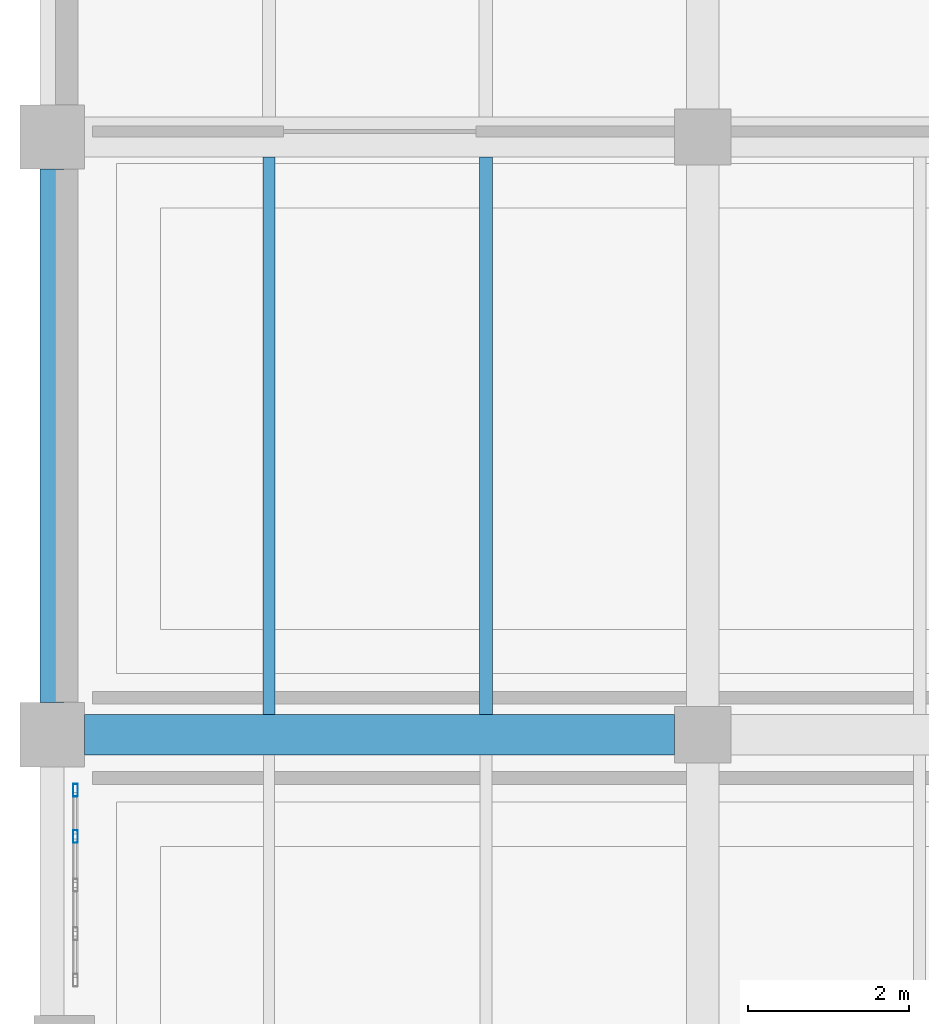
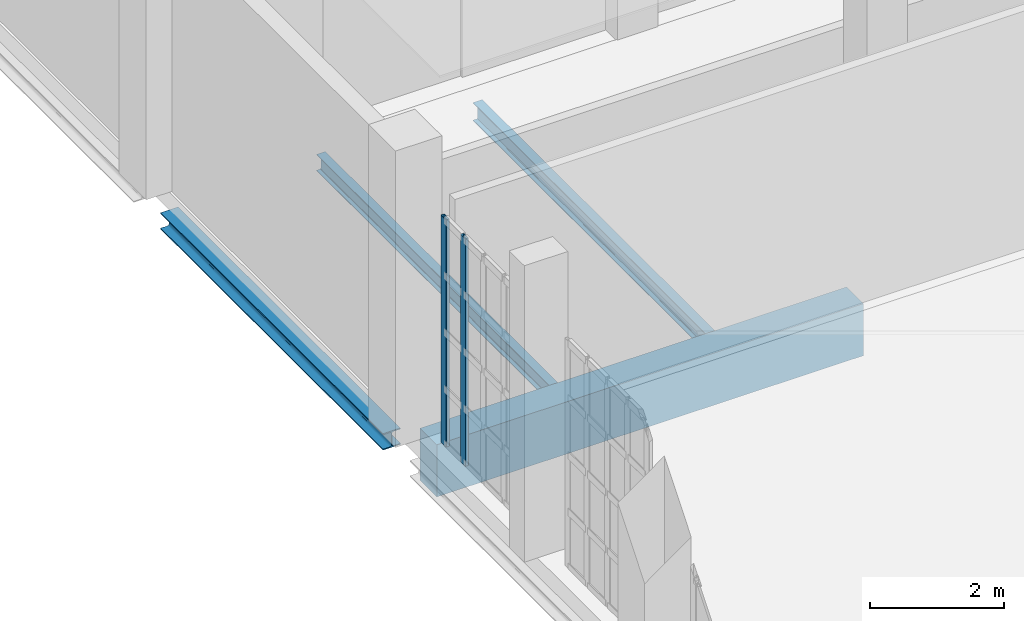
# One storey, part 246 of 372: 4 beams, 2 members, 1 element without a shape of its own.
"""IFC4 building model written with IfcOpenShell, lengths in metres."""

from ifc_helpers import new_model, si_unit, direction, frame, origin, origin_2d, place, context, subcontext, project, spatial, rectangle, hollow_rectangle, i_section, extrude, material, material_profile, profile_set, type_object, element, aggregate, save


model = new_model("IFC4")

# Units and contexts
model_context = context("Model", 3, precision=1e-05, world=origin(), true_north=direction((0.0, 1.0)))
body_context = subcontext(model_context, "Body", "Model", "MODEL_VIEW")
ifc_project = project(units=[si_unit("LENGTHUNIT", "METRE"), si_unit("AREAUNIT", "SQUARE_METRE"), si_unit("VOLUMEUNIT", "CUBIC_METRE"), si_unit("PLANEANGLEUNIT", "RADIAN"), si_unit("MASSUNIT", "GRAM", prefix="KILO")], contexts=[model_context])

# Site, building, storey
site_placement = place(None, origin())
site = spatial("IfcSite", under=ifc_project, at=site_placement, CompositionType="ELEMENT")
building_placement = place(site_placement, origin())
building = spatial("IfcBuilding", under=site, at=building_placement, Name="Kaelora Sail Theatre", CompositionType="ELEMENT")
storey_placement = place(building_placement, origin())
storey = spatial("IfcBuildingStorey", under=building, at=storey_placement, Name="L00", CompositionType="ELEMENT", Elevation=0.0)

# Curtain wall, members
ifc_material_1 = material(Name="Anodised aluminium and solar-control low-E IGU", Category="aluminium")
curtain_wall_type = type_object("IfcCurtainWallType", Name="ARC-CW-CW-FOY1", PredefinedType="NOTDEFINED", material=ifc_material_1)
curtain_wall_placement = place(storey_placement, origin())
curtain_wall = element("IfcCurtainWall", 1, at=curtain_wall_placement, inside=storey, type_object=curtain_wall_type, Name="Glazed Colonnade/Courtyard Curtain Wall FW1-W-L00-06", PredefinedType="NOTDEFINED")
ifc_material_2 = material(Name="Anodised aluminium 6063-T6", Category="aluminium")
ifc_material_profile_1 = material_profile(ifc_material_2, hollow_rectangle(XDim=0.06005859375, YDim=0.159912109375, WallThickness=0.00390625, InnerFilletRadius=0.00390625, OuterFilletRadius=0.008056640625, at=origin_2d()), Name="ALU-MULL 60x160x4")
ifc_profile_set_1 = profile_set([ifc_material_profile_1], Name="Anodised aluminium 6063-T6")
member_type = type_object("IfcMemberType", Name="ARC-MEM-ML-160", PredefinedType="MULLION", material=ifc_profile_set_1)
member_1_placement = place(storey_placement, frame((1.7900390625, 82.07373046875, 0.0), z_axis=(0.0, 0.0, 1.0), x_axis=(-1.0, 0.0, 0.0)))
member_1 = element("IfcMember", 2, at=member_1_placement, type_object=member_type, Name="CW-FOY1 mullion 4", PredefinedType="MULLION", context=body_context, shape_type="SweptSolid", body=[
    extrude(hollow_rectangle(XDim=0.06005859375, YDim=0.159912109375, WallThickness=0.00390625, InnerFilletRadius=0.00390625, OuterFilletRadius=0.008056640625, at=origin_2d()), origin(), (0.0, 0.0, 1.0), 4.136962890625),
])
member_2_placement = place(storey_placement, frame((1.7900390625, 82.64990234375, 0.0), z_axis=(0.0, 0.0, 1.0), x_axis=(-1.0, 0.0, 0.0)))
member_2 = element("IfcMember", 3, at=member_2_placement, type_object=member_type, Name="CW-FOY1 mullion 5", PredefinedType="MULLION", context=body_context, shape_type="SweptSolid", body=[
    extrude(hollow_rectangle(XDim=0.06005859375, YDim=0.159912109375, WallThickness=0.00390625, InnerFilletRadius=0.00390625, OuterFilletRadius=0.008056640625, at=origin_2d()), origin(), (0.0, 0.0, 1.0), 4.136962890625),
])
aggregate(curtain_wall, [member_1, member_2])

# Beams
ifc_material_3 = material(Name="Concrete C45/55", Category="concrete")
ifc_material_profile_2 = material_profile(ifc_material_3, rectangle(XDim=0.5, YDim=0.949951171875, at=origin_2d()), Name="RC-GRD 500x950")
ifc_profile_set_2 = profile_set([ifc_material_profile_2], Name="Concrete C45/55")
beam_type_1 = type_object("IfcBeamType", Name="STR-BM-GR-RC5095", PredefinedType="T_BEAM", material=ifc_profile_set_2)
beam_1_placement = place(storey_placement, frame((1.89990234375, 83.340087890625, -0.794921875), z_axis=(1.0, 0.0, 0.0), x_axis=(0.0, 1.0, 0.0)))
element("IfcBeam", 4, at=beam_1_placement, inside=storey, type_object=beam_type_1, Name="Primary beam L 1-2 (L00)", PredefinedType="T_BEAM", context=body_context, shape_type="SweptSolid", body=[
    extrude(rectangle(XDim=0.5, YDim=0.949951171875, at=origin_2d()), origin(), (0.0, 0.0, 1.0), 7.35009765625),
])
ifc_material_4 = material(Name="Steel S355", Category="steel")
ifc_material_profile_3 = material_profile(ifc_material_4, i_section(OverallWidth=0.14990234375, OverallDepth=0.300048828125, WebThickness=0.007080078125, FlangeThickness=0.0107421875, FilletRadius=0.014892578125, at=origin_2d()), Name="IPE 300")
ifc_profile_set_3 = profile_set([ifc_material_profile_3], Name="Steel S355")
beam_type_2 = type_object("IfcBeamType", Name="STR-BM-JS-IPE300", PredefinedType="JOIST", material=ifc_profile_set_3)
beam_2_placement = place(storey_placement, frame((4.199951171875, 83.590087890625, -0.469970703125), z_axis=(0.0, 1.0, 0.0), x_axis=(-1.0, 0.0, 0.0)))
element("IfcBeam", 5, at=beam_2_placement, inside=storey, type_object=beam_type_2, Name="Secondary floor joist 1/L-1 (L00)", PredefinedType="JOIST", context=body_context, shape_type="SweptSolid", body=[
    extrude(i_section(OverallWidth=0.14990234375, OverallDepth=0.300048828125, WebThickness=0.007080078125, FlangeThickness=0.0107421875, FilletRadius=0.014892578125, at=origin_2d()), origin(), (0.0, 0.0, 1.0), 6.93994140625),
])
ifc_material_5 = material(Name="Steel S355", Category="steel")
ifc_material_profile_4 = material_profile(ifc_material_5, i_section(OverallWidth=0.159912109375, OverallDepth=0.330078125, WebThickness=0.007568359375, FlangeThickness=0.011474609375, FilletRadius=0.01806640625, at=origin_2d()), Name="IPE 330")
ifc_profile_set_4 = profile_set([ifc_material_profile_4], Name="Steel S355")
beam_type_3 = type_object("IfcBeamType", Name="STR-BM-JS-IPE330", PredefinedType="JOIST", material=ifc_profile_set_4)
beam_3_placement = place(storey_placement, frame((6.89990234375, 83.590087890625, -0.485107421875), z_axis=(0.0, 1.0, 0.0), x_axis=(-1.0, 0.0, 0.0)))
element("IfcBeam", 6, at=beam_3_placement, inside=storey, type_object=beam_type_3, Name="Secondary floor joist 1/L-2 (L00)", PredefinedType="JOIST", context=body_context, shape_type="SweptSolid", body=[
    extrude(i_section(OverallWidth=0.159912109375, OverallDepth=0.330078125, WebThickness=0.007568359375, FlangeThickness=0.011474609375, FilletRadius=0.01806640625, at=origin_2d()), origin(), (0.0, 0.0, 1.0), 6.93994140625),
])
ifc_material_6 = material(Name="Steel S355", Category="steel")
ifc_material_profile_5 = material_profile(ifc_material_6, i_section(OverallWidth=0.300048828125, OverallDepth=0.300048828125, WebThickness=0.010986328125, FlangeThickness=0.01904296875, FilletRadius=0.027099609375, at=origin_2d()), Name="HEB 300")
ifc_profile_set_5 = profile_set([ifc_material_profile_5], Name="Steel S355")
beam_type_4 = type_object("IfcBeamType", Name="STR-BM-SP-HEB300", PredefinedType="SPANDREL", material=ifc_profile_set_5)
beam_4_placement = place(storey_placement, frame((1.5, 83.739990234375, -0.469970703125), z_axis=(0.0, 1.0, 0.0), x_axis=(-1.0, 0.0, 0.0)))
element("IfcBeam", 7, at=beam_4_placement, inside=storey, type_object=beam_type_4, Name="Primary beam 1 L-M (L00)", PredefinedType="SPANDREL", context=body_context, shape_type="SweptSolid", body=[
    extrude(i_section(OverallWidth=0.300048828125, OverallDepth=0.300048828125, WebThickness=0.010986328125, FlangeThickness=0.01904296875, FilletRadius=0.027099609375, at=origin_2d()), origin(), (0.0, 0.0, 1.0), 6.639892578125),
])

save(model, "model.ifc")
